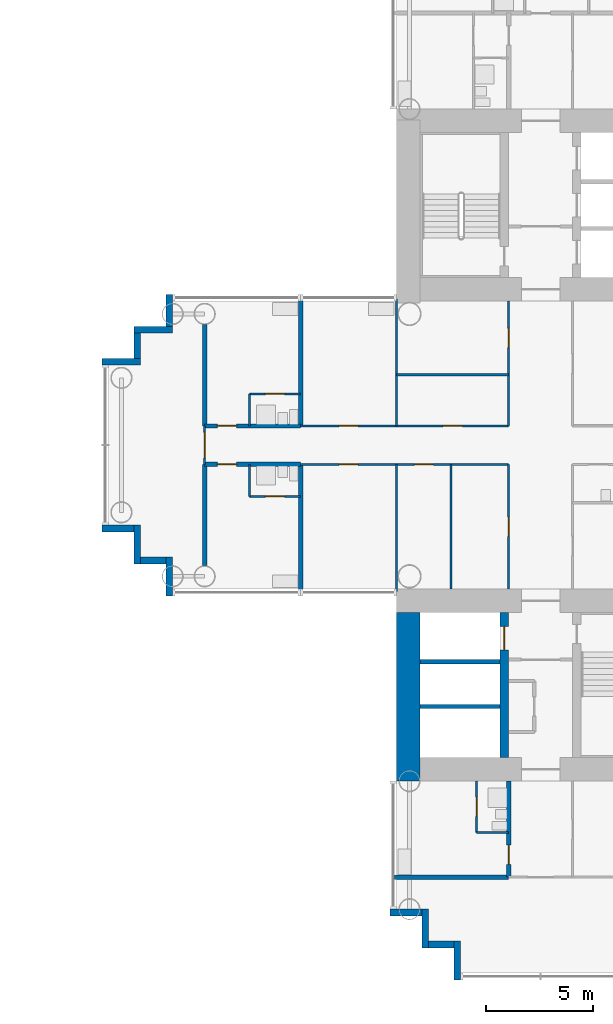
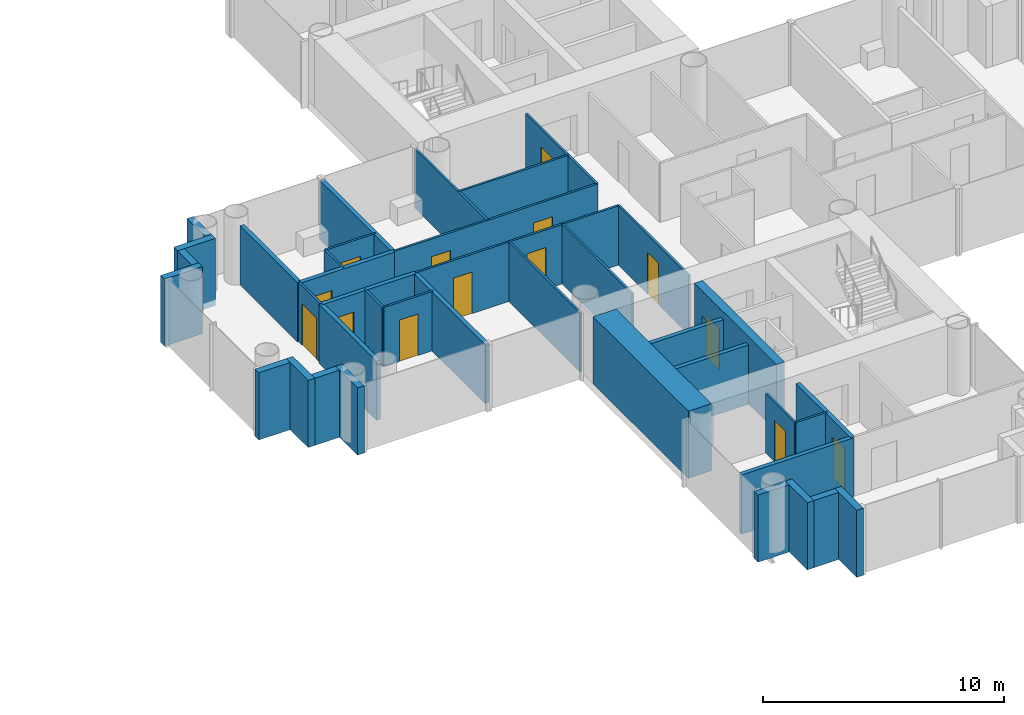
# One storey, part 12 of 21: 39 walls, 14 doors, 14 openings.
"""IFC4 building model written with IfcOpenShell, lengths in metres."""

from ifc_helpers import new_model, si_unit, direction, frame, frame_2d, origin, place, context, subcontext, project, spatial, rectangle, extrude, material, layer, layer_set, type_object, element, fill, save


model = new_model("IFC4")

# Units and contexts
model_context = context("Model", 3, precision=1e-05, world=origin(), true_north=direction((0.0, 1.0)))
body_context = subcontext(model_context, "Body", "Model", "MODEL_VIEW")
ifc_project = project(units=[si_unit("LENGTHUNIT", "METRE"), si_unit("AREAUNIT", "SQUARE_METRE"), si_unit("VOLUMEUNIT", "CUBIC_METRE"), si_unit("PLANEANGLEUNIT", "RADIAN"), si_unit("MASSUNIT", "GRAM", prefix="KILO")], contexts=[model_context])

# Site, building, storey
site_placement = place(None, origin())
site = spatial("IfcSite", under=ifc_project, at=site_placement, CompositionType="ELEMENT")
building_placement = place(site_placement, origin())
building = spatial("IfcBuilding", under=site, at=building_placement, Name="Ipe Terrace Towers", CompositionType="ELEMENT")
storey_placement = place(building_placement, frame((0.0, 0.0, 34.699951171875)))
storey = spatial("IfcBuildingStorey", under=building, at=storey_placement, Name="L08", CompositionType="ELEMENT", Elevation=34.699951171875)

# Walls
ifc_material_1 = material(Name="Concrete C40/50 with buff precast cladding", Category="concrete")
ifc_layer_1 = layer(ifc_material_1, 0.320068359375)
ifc_layer_set_1 = layer_set([ifc_layer_1], Name="BUFF CLADDING WALL 320")
wall_type_1 = type_object("IfcWallType", Name="BUFF CLADDING WALL 320", PredefinedType="STANDARD", material=ifc_layer_set_1)
wall_1_placement = place(storey_placement, frame((18.590087890625, 7.070068359375, -0.300048828125), z_axis=(0.0, 0.0, 1.0), x_axis=(0.0, -1.0, 0.0)))
element("IfcWall", 1, at=wall_1_placement, inside=storey, type_object=wall_type_1, Name="T2-W-L08-34a wall", PredefinedType="STANDARD", context=body_context, shape_type="SweptSolid", body=[
    extrude(rectangle(XDim=1.5, YDim=0.320068359375, at=frame_2d((0.75, 0.0))), origin(), (0.0, 0.0, 1.0), 3.400146484375),
])
wall_2_placement = place(storey_placement, frame((18.75, 5.409912109375, -0.300048828125), z_axis=(0.0, 0.0, 1.0), x_axis=(-1.0, 0.0, 0.0)))
element("IfcWall", 2, at=wall_2_placement, inside=storey, type_object=wall_type_1, Name="T2-W-L08-35a wall", PredefinedType="STANDARD", context=body_context, shape_type="SweptSolid", body=[
    extrude(rectangle(XDim=1.820068359375, YDim=0.320068359375, at=frame_2d((0.91015625, 0.0))), origin(), (0.0, 0.0, 1.0), 3.400146484375),
])
wall_3_placement = place(storey_placement, frame((17.090087890625, 5.25, -0.300048828125), z_axis=(0.0, 0.0, 1.0), x_axis=(0.0, -1.0, 0.0)))
element("IfcWall", 3, at=wall_3_placement, inside=storey, type_object=wall_type_1, Name="T2-W-L08-36a wall", PredefinedType="STANDARD", context=body_context, shape_type="SweptSolid", body=[
    extrude(rectangle(XDim=1.179931640625, YDim=0.320068359375, at=frame_2d((0.58984375, 0.0))), origin(), (0.0, 0.0, 1.0), 3.400146484375),
])
wall_4_placement = place(storey_placement, frame((17.25, 3.909912109375, -0.300048828125), z_axis=(0.0, 0.0, 1.0), x_axis=(-1.0, 0.0, 0.0)))
element("IfcWall", 4, at=wall_4_placement, inside=storey, type_object=wall_type_1, Name="T2-W-L08-37a wall", PredefinedType="STANDARD", context=body_context, shape_type="SweptSolid", body=[
    extrude(rectangle(XDim=1.820068359375, YDim=0.320068359375, at=frame_2d((0.91015625, 0.0))), origin(), (0.0, 0.0, 1.0), 3.400146484375),
])
wall_5_placement = place(storey_placement, frame((15.429931640625, -3.909912109375, -0.300048828125), z_axis=(0.0, 0.0, 1.0), x_axis=(1.0, 0.0, 0.0)))
element("IfcWall", 5, at=wall_5_placement, inside=storey, type_object=wall_type_1, Name="T2-W-L08-39a wall", PredefinedType="STANDARD", context=body_context, shape_type="SweptSolid", body=[
    extrude(rectangle(XDim=1.5, YDim=0.320068359375, at=frame_2d((0.75, 0.0))), origin(), (0.0, 0.0, 1.0), 3.400146484375),
])
wall_6_placement = place(storey_placement, frame((17.090087890625, -3.75, -0.300048828125), z_axis=(0.0, 0.0, 1.0), x_axis=(0.0, -1.0, 0.0)))
element("IfcWall", 6, at=wall_6_placement, inside=storey, type_object=wall_type_1, Name="T2-W-L08-40a wall", PredefinedType="STANDARD", context=body_context, shape_type="SweptSolid", body=[
    extrude(rectangle(XDim=1.820068359375, YDim=0.320068359375, at=frame_2d((0.91015625, 0.0))), origin(), (0.0, 0.0, 1.0), 3.400146484375),
])
wall_7_placement = place(storey_placement, frame((17.25, -5.409912109375, -0.300048828125), z_axis=(0.0, 0.0, 1.0), x_axis=(1.0, 0.0, 0.0)))
element("IfcWall", 7, at=wall_7_placement, inside=storey, type_object=wall_type_1, Name="T2-W-L08-41a wall", PredefinedType="STANDARD", context=body_context, shape_type="SweptSolid", body=[
    extrude(rectangle(XDim=1.179931640625, YDim=0.320068359375, at=frame_2d((0.58984375, 0.0))), origin(), (0.0, 0.0, 1.0), 3.400146484375),
])
wall_8_placement = place(storey_placement, frame((18.590087890625, -5.25, -0.300048828125), z_axis=(0.0, 0.0, 1.0), x_axis=(0.0, -1.0, 0.0)))
element("IfcWall", 8, at=wall_8_placement, inside=storey, type_object=wall_type_1, Name="T2-W-L08-42a wall", PredefinedType="STANDARD", context=body_context, shape_type="SweptSolid", body=[
    extrude(rectangle(XDim=1.820068359375, YDim=0.320068359375, at=frame_2d((0.91015625, 0.0))), origin(), (0.0, 0.0, 1.0), 3.400146484375),
])
wall_9_placement = place(storey_placement, frame((28.929931640625, -21.909912109375, -0.300048828125), z_axis=(0.0, 0.0, 1.0), x_axis=(1.0, 0.0, 0.0)))
element("IfcWall", 9, at=wall_9_placement, inside=storey, type_object=wall_type_1, Name="T2-W-L08-47a wall", PredefinedType="STANDARD", context=body_context, shape_type="SweptSolid", body=[
    extrude(rectangle(XDim=1.5, YDim=0.320068359375, at=frame_2d((0.75, 0.0))), origin(), (0.0, 0.0, 1.0), 3.400146484375),
])
wall_10_placement = place(storey_placement, frame((30.590087890625, -21.75, -0.300048828125), z_axis=(0.0, 0.0, 1.0), x_axis=(0.0, -1.0, 0.0)))
element("IfcWall", 10, at=wall_10_placement, inside=storey, type_object=wall_type_1, Name="T2-W-L08-48a wall", PredefinedType="STANDARD", context=body_context, shape_type="SweptSolid", body=[
    extrude(rectangle(XDim=1.820068359375, YDim=0.320068359375, at=frame_2d((0.91015625, 0.0))), origin(), (0.0, 0.0, 1.0), 3.400146484375),
])
wall_11_placement = place(storey_placement, frame((30.75, -23.409912109375, -0.300048828125), z_axis=(0.0, 0.0, 1.0), x_axis=(1.0, 0.0, 0.0)))
element("IfcWall", 11, at=wall_11_placement, inside=storey, type_object=wall_type_1, Name="T2-W-L08-49a wall", PredefinedType="STANDARD", context=body_context, shape_type="SweptSolid", body=[
    extrude(rectangle(XDim=1.179931640625, YDim=0.320068359375, at=frame_2d((0.58984375, 0.0))), origin(), (0.0, 0.0, 1.0), 3.400146484375),
])
wall_12_placement = place(storey_placement, frame((32.090087890625, -23.25, -0.300048828125), z_axis=(0.0, 0.0, 1.0), x_axis=(0.0, -1.0, 0.0)))
element("IfcWall", 12, at=wall_12_placement, inside=storey, type_object=wall_type_1, Name="T2-W-L08-50a wall", PredefinedType="STANDARD", context=body_context, shape_type="SweptSolid", body=[
    extrude(rectangle(XDim=1.820068359375, YDim=0.320068359375, at=frame_2d((0.91015625, 0.0))), origin(), (0.0, 0.0, 1.0), 3.400146484375),
])
ifc_material_2 = material(Name="Gypsum board partition", Category="plasterboard")
ifc_layer_2 = layer(ifc_material_2, 0.10009765625)
ifc_layer_set_2 = layer_set([ifc_layer_2], Name="Gypsum board partition 100 mm")
wall_type_2 = type_object("IfcWallType", Name="Gypsum board partition 100 mm", PredefinedType="PARTITIONING", material=ifc_layer_set_2)
wall_13_placement = place(storey_placement, frame((34.5, -18.14990234375, 0.0), z_axis=(0.0, 0.0, 1.0), x_axis=(-1.0, 0.0, 0.0)))
element("IfcWall", 13, at=wall_13_placement, inside=storey, type_object=wall_type_2, Name="Gypsum board partition T2 L08 W03", PredefinedType="PARTITIONING", context=body_context, shape_type="SweptSolid", body=[
    extrude(rectangle(XDim=1.5, YDim=0.10009765625, at=frame_2d((0.75, 0.0))), origin(), (0.0, 0.0, 1.0), 3.0),
])

# Wall, opening, door
wall_14_placement = place(storey_placement, frame((24.75, -2.39990234375, 0.0), z_axis=(0.0, 0.0, 1.0), x_axis=(-1.0, 0.0, 0.0)))
wall_14 = element("IfcWall", 14, at=wall_14_placement, inside=storey, type_object=wall_type_2, Name="Gypsum board partition T2 L08 W06", PredefinedType="PARTITIONING", context=body_context, shape_type="SweptSolid", body=[
    extrude(rectangle(XDim=2.39990234375, YDim=0.10009765625, at=frame_2d((1.199951171875, 0.0))), origin(), (0.0, 0.0, 1.0), 3.0),
])
opening_1_placement = place(wall_14_placement, frame((0.75, 0.0, 0.0)))
opening_1 = element("IfcOpeningElement", 15, at=opening_1_placement, cuts=wall_14, Name="Opening T2-Z1B-11", PredefinedType="OPENING", context=body_context, shape_type="SweptSolid", body=[
    extrude(rectangle(XDim=0.89990234375, YDim=2.10009765625, at=frame_2d((0.449951171875, 1.050048828125))), frame((0.0, 0.06005859375, 0.0), z_axis=(0.0, -1.0, 0.0), x_axis=(1.0, 0.0, 0.0)), (0.0, 0.0, 1.0), 0.1201171875),
])
ifc_material_3 = material(Name="Timber door leaf", Category="wood")
door_type_1 = type_object("IfcDoorType", Name="Bathroom door 900 x 2100", OperationType="NOTDEFINED", PredefinedType="DOOR", material=ifc_material_3)
door_1_placement = place(opening_1_placement, origin())
door_1 = element("IfcDoor", 16, at=door_1_placement, inside=storey, type_object=door_type_1, Name="Bathroom door T2-Z1B-11", OperationType="SINGLE_SWING_LEFT", OverallHeight=2.10009765625, OverallWidth=0.89990234375, PredefinedType="DOOR", context=body_context, shape_type="SweptSolid", body=[
    extrude(rectangle(XDim=0.89990234375, YDim=2.10009765625, at=frame_2d((0.449951171875, 1.050048828125))), frame((0.0, 0.02490234375, 0.0), z_axis=(0.0, -1.0, 0.0), x_axis=(1.0, 0.0, 0.0)), (0.0, 0.0, 1.0), 0.050048828125),
])
fill(opening_1, door_1)

# Wall, openings, doors
wall_15_placement = place(storey_placement, frame((34.5, -0.89990234375, 0.0), z_axis=(0.0, 0.0, 1.0), x_axis=(-1.0, 0.0, 0.0)))
wall_15 = element("IfcWall", 17, at=wall_15_placement, inside=storey, type_object=wall_type_2, Name="Gypsum board partition T2 L08 W10", PredefinedType="PARTITIONING", context=body_context, shape_type="SweptSolid", body=[
    extrude(rectangle(XDim=9.75, YDim=0.10009765625, at=frame_2d((4.875, 0.0))), origin(), (0.0, 0.0, 1.0), 3.0),
])
opening_2_placement = place(wall_15_placement, frame((3.52490234375, 0.0, 0.0)))
opening_2 = element("IfcOpeningElement", 18, at=opening_2_placement, cuts=wall_15, Name="Opening T2-Z1B-05", PredefinedType="OPENING", context=body_context, shape_type="SweptSolid", body=[
    extrude(rectangle(XDim=0.89990234375, YDim=2.10009765625, at=frame_2d((0.449951171875, 1.050048828125))), frame((0.0, 0.06005859375, 0.0), z_axis=(0.0, -1.0, 0.0), x_axis=(1.0, 0.0, 0.0)), (0.0, 0.0, 1.0), 0.1201171875),
])
opening_3_placement = place(wall_15_placement, frame((7.050048828125, 0.0, 0.0)))
opening_3 = element("IfcOpeningElement", 19, at=opening_3_placement, cuts=wall_15, Name="Opening T2-Z1B-09", PredefinedType="OPENING", context=body_context, shape_type="SweptSolid", body=[
    extrude(rectangle(XDim=0.89990234375, YDim=2.10009765625, at=frame_2d((0.449951171875, 1.050048828125))), frame((0.0, 0.06005859375, 0.0), z_axis=(0.0, -1.0, 0.0), x_axis=(1.0, 0.0, 0.0)), (0.0, 0.0, 1.0), 0.1201171875),
])
ifc_material_4 = material(Name="Timber door leaf", Category="wood")
door_type_2 = type_object("IfcDoorType", Name="Lounge door 900 x 2100", OperationType="NOTDEFINED", PredefinedType="DOOR", material=ifc_material_4)
door_2_placement = place(opening_2_placement, origin())
door_2 = element("IfcDoor", 20, at=door_2_placement, inside=storey, type_object=door_type_2, Name="Lounge door T2-Z1B-05", OperationType="SINGLE_SWING_RIGHT", OverallHeight=2.10009765625, OverallWidth=0.89990234375, PredefinedType="DOOR", context=body_context, shape_type="SweptSolid", body=[
    extrude(rectangle(XDim=0.89990234375, YDim=2.10009765625, at=frame_2d((0.449951171875, 1.050048828125))), frame((0.0, 0.02490234375, 0.0), z_axis=(0.0, -1.0, 0.0), x_axis=(1.0, 0.0, 0.0)), (0.0, 0.0, 1.0), 0.050048828125),
])
fill(opening_2, door_2)
door_3_placement = place(opening_3_placement, origin())
door_3 = element("IfcDoor", 21, at=door_3_placement, inside=storey, type_object=door_type_2, Name="Lounge door T2-Z1B-09", OperationType="SINGLE_SWING_LEFT", OverallHeight=2.10009765625, OverallWidth=0.89990234375, PredefinedType="DOOR", context=body_context, shape_type="SweptSolid", body=[
    extrude(rectangle(XDim=0.89990234375, YDim=2.10009765625, at=frame_2d((0.449951171875, 1.050048828125))), frame((0.0, 0.02490234375, 0.0), z_axis=(0.0, -1.0, 0.0), x_axis=(1.0, 0.0, 0.0)), (0.0, 0.0, 1.0), 0.050048828125),
])
fill(opening_3, door_3)

wall_16_placement = place(storey_placement, frame((34.5, 0.89990234375, 0.0), z_axis=(0.0, 0.0, 1.0), x_axis=(-1.0, 0.0, 0.0)))
wall_16 = element("IfcWall", 22, at=wall_16_placement, inside=storey, type_object=wall_type_2, Name="Gypsum board partition T2 L08 W14", PredefinedType="PARTITIONING", context=body_context, shape_type="SweptSolid", body=[
    extrude(rectangle(XDim=9.75, YDim=0.10009765625, at=frame_2d((4.875, 0.0))), origin(), (0.0, 0.0, 1.0), 3.0),
])
opening_4_placement = place(wall_16_placement, frame((2.175048828125, 0.0, 0.0)))
opening_4 = element("IfcOpeningElement", 23, at=opening_4_placement, cuts=wall_16, Name="Opening T2-Z1B-02", PredefinedType="OPENING", context=body_context, shape_type="SweptSolid", body=[
    extrude(rectangle(XDim=0.89990234375, YDim=2.10009765625, at=frame_2d((0.449951171875, 1.050048828125))), frame((0.0, 0.06005859375, 0.0), z_axis=(0.0, -1.0, 0.0), x_axis=(1.0, 0.0, 0.0)), (0.0, 0.0, 1.0), 0.1201171875),
])
opening_5_placement = place(wall_16_placement, frame((7.050048828125, 0.0, 0.0)))
opening_5 = element("IfcOpeningElement", 24, at=opening_5_placement, cuts=wall_16, Name="Opening T2-Z1B-12", PredefinedType="OPENING", context=body_context, shape_type="SweptSolid", body=[
    extrude(rectangle(XDim=0.89990234375, YDim=2.10009765625, at=frame_2d((0.449951171875, 1.050048828125))), frame((0.0, 0.06005859375, 0.0), z_axis=(0.0, -1.0, 0.0), x_axis=(1.0, 0.0, 0.0)), (0.0, 0.0, 1.0), 0.1201171875),
])
door_4_placement = place(opening_4_placement, origin())
door_4 = element("IfcDoor", 25, at=door_4_placement, inside=storey, type_object=door_type_2, Name="Lounge door T2-Z1B-02", OperationType="SINGLE_SWING_LEFT", OverallHeight=2.10009765625, OverallWidth=0.89990234375, PredefinedType="DOOR", context=body_context, shape_type="SweptSolid", body=[
    extrude(rectangle(XDim=0.89990234375, YDim=2.10009765625, at=frame_2d((0.449951171875, 1.050048828125))), frame((0.0, 0.02490234375, 0.0), z_axis=(0.0, -1.0, 0.0), x_axis=(1.0, 0.0, 0.0)), (0.0, 0.0, 1.0), 0.050048828125),
])
fill(opening_4, door_4)
door_5_placement = place(opening_5_placement, origin())
door_5 = element("IfcDoor", 26, at=door_5_placement, inside=storey, type_object=door_type_2, Name="Lounge door T2-Z1B-12", OperationType="SINGLE_SWING_RIGHT", OverallHeight=2.10009765625, OverallWidth=0.89990234375, PredefinedType="DOOR", context=body_context, shape_type="SweptSolid", body=[
    extrude(rectangle(XDim=0.89990234375, YDim=2.10009765625, at=frame_2d((0.449951171875, 1.050048828125))), frame((0.0, 0.02490234375, 0.0), z_axis=(0.0, -1.0, 0.0), x_axis=(1.0, 0.0, 0.0)), (0.0, 0.0, 1.0), 0.050048828125),
])
fill(opening_5, door_5)

# Wall, opening, door
wall_17_placement = place(storey_placement, frame((24.75, 2.39990234375, 0.0), z_axis=(0.0, 0.0, 1.0), x_axis=(-1.0, 0.0, 0.0)))
wall_17 = element("IfcWall", 27, at=wall_17_placement, inside=storey, type_object=wall_type_2, Name="Gypsum board partition T2 L08 W16", PredefinedType="PARTITIONING", context=body_context, shape_type="SweptSolid", body=[
    extrude(rectangle(XDim=2.39990234375, YDim=0.10009765625, at=frame_2d((1.199951171875, 0.0))), origin(), (0.0, 0.0, 1.0), 3.0),
])
opening_6_placement = place(wall_17_placement, frame((0.75, 0.0, 0.0)))
opening_6 = element("IfcOpeningElement", 28, at=opening_6_placement, cuts=wall_17, Name="Opening T2-Z1B-14", PredefinedType="OPENING", context=body_context, shape_type="SweptSolid", body=[
    extrude(rectangle(XDim=0.89990234375, YDim=2.10009765625, at=frame_2d((0.449951171875, 1.050048828125))), frame((0.0, 0.06005859375, 0.0), z_axis=(0.0, -1.0, 0.0), x_axis=(1.0, 0.0, 0.0)), (0.0, 0.0, 1.0), 0.1201171875),
])
door_6_placement = place(opening_6_placement, origin())
door_6 = element("IfcDoor", 29, at=door_6_placement, inside=storey, type_object=door_type_1, Name="Bathroom door T2-Z1B-14", OperationType="SINGLE_SWING_RIGHT", OverallHeight=2.10009765625, OverallWidth=0.89990234375, PredefinedType="DOOR", context=body_context, shape_type="SweptSolid", body=[
    extrude(rectangle(XDim=0.89990234375, YDim=2.10009765625, at=frame_2d((0.449951171875, 1.050048828125))), frame((0.0, 0.02490234375, 0.0), z_axis=(0.0, -1.0, 0.0), x_axis=(1.0, 0.0, 0.0)), (0.0, 0.0, 1.0), 0.050048828125),
])
fill(opening_6, door_6)

# Wall
wall_18_placement = place(storey_placement, frame((34.5, 3.300048828125, 0.0), z_axis=(0.0, 0.0, 1.0), x_axis=(-1.0, 0.0, 0.0)))
element("IfcWall", 30, at=wall_18_placement, inside=storey, type_object=wall_type_2, Name="Gypsum board partition T2 L08 W17", PredefinedType="PARTITIONING", context=body_context, shape_type="SweptSolid", body=[
    extrude(rectangle(XDim=5.25, YDim=0.10009765625, at=frame_2d((2.625, 0.0))), origin(), (0.0, 0.0, 1.0), 3.0),
])

# Wall, opening, door
wall_19_placement = place(storey_placement, frame((34.5, -6.75, 0.0), z_axis=(0.0, 0.0, 1.0), x_axis=(0.0, 1.0, 0.0)))
wall_19 = element("IfcWall", 31, at=wall_19_placement, inside=storey, type_object=wall_type_2, Name="Gypsum board partition T2 L08 W37", PredefinedType="PARTITIONING", context=body_context, shape_type="SweptSolid", body=[
    extrude(rectangle(XDim=5.85009765625, YDim=0.10009765625, at=frame_2d((2.925048828125, 0.0))), origin(), (0.0, 0.0, 1.0), 3.0),
])
opening_7_placement = place(wall_19_placement, frame((2.47509765625, 0.0, 0.0)))
opening_7 = element("IfcOpeningElement", 32, at=opening_7_placement, cuts=wall_19, Name="Opening T2-Z1B-04", PredefinedType="OPENING", context=body_context, shape_type="SweptSolid", body=[
    extrude(rectangle(XDim=0.89990234375, YDim=2.10009765625, at=frame_2d((0.449951171875, 1.050048828125))), frame((0.0, 0.06005859375, 0.0), z_axis=(0.0, -1.0, 0.0), x_axis=(1.0, 0.0, 0.0)), (0.0, 0.0, 1.0), 0.1201171875),
])
door_7_placement = place(opening_7_placement, origin())
door_7 = element("IfcDoor", 33, at=door_7_placement, inside=storey, type_object=door_type_2, Name="Lounge door T2-Z1B-04", OperationType="SINGLE_SWING_RIGHT", OverallHeight=2.10009765625, OverallWidth=0.89990234375, PredefinedType="DOOR", context=body_context, shape_type="SweptSolid", body=[
    extrude(rectangle(XDim=0.89990234375, YDim=2.10009765625, at=frame_2d((0.449951171875, 1.050048828125))), frame((0.0, 0.02490234375, 0.0), z_axis=(0.0, -1.0, 0.0), x_axis=(1.0, 0.0, 0.0)), (0.0, 0.0, 1.0), 0.050048828125),
])
fill(opening_7, door_7)

wall_20_placement = place(storey_placement, frame((34.5, 0.89990234375, 0.0), z_axis=(0.0, 0.0, 1.0), x_axis=(0.0, 1.0, 0.0)))
wall_20 = element("IfcWall", 34, at=wall_20_placement, inside=storey, type_object=wall_type_2, Name="Gypsum board partition T2 L08 W38", PredefinedType="PARTITIONING", context=body_context, shape_type="SweptSolid", body=[
    extrude(rectangle(XDim=5.85009765625, YDim=0.10009765625, at=frame_2d((2.925048828125, 0.0))), origin(), (0.0, 0.0, 1.0), 3.0),
])
opening_8_placement = place(wall_20_placement, frame((3.675048828125, 0.0, 0.0)))
opening_8 = element("IfcOpeningElement", 35, at=opening_8_placement, cuts=wall_20, Name="Opening T2-Z1B-03", PredefinedType="OPENING", context=body_context, shape_type="SweptSolid", body=[
    extrude(rectangle(XDim=0.89990234375, YDim=2.10009765625, at=frame_2d((0.449951171875, 1.050048828125))), frame((0.0, 0.06005859375, 0.0), z_axis=(0.0, -1.0, 0.0), x_axis=(1.0, 0.0, 0.0)), (0.0, 0.0, 1.0), 0.1201171875),
])
door_8_placement = place(opening_8_placement, origin())
door_8 = element("IfcDoor", 36, at=door_8_placement, inside=storey, type_object=door_type_2, Name="Lounge door T2-Z1B-03", OperationType="SINGLE_SWING_LEFT", OverallHeight=2.10009765625, OverallWidth=0.89990234375, PredefinedType="DOOR", context=body_context, shape_type="SweptSolid", body=[
    extrude(rectangle(XDim=0.89990234375, YDim=2.10009765625, at=frame_2d((0.449951171875, 1.050048828125))), frame((0.0, 0.02490234375, 0.0), z_axis=(0.0, -1.0, 0.0), x_axis=(1.0, 0.0, 0.0)), (0.0, 0.0, 1.0), 0.050048828125),
])
fill(opening_8, door_8)

wall_21_placement = place(storey_placement, frame((33.0, -18.14990234375, 0.0), z_axis=(0.0, 0.0, 1.0), x_axis=(0.0, 1.0, 0.0)))
wall_21 = element("IfcWall", 37, at=wall_21_placement, inside=storey, type_object=wall_type_2, Name="Gypsum board partition T2 L08 W42", PredefinedType="PARTITIONING", context=body_context, shape_type="SweptSolid", body=[
    extrude(rectangle(XDim=2.39990234375, YDim=0.10009765625, at=frame_2d((1.199951171875, 0.0))), origin(), (0.0, 0.0, 1.0), 3.0),
])
opening_9_placement = place(wall_21_placement, frame((0.75, 0.0, 0.0)))
opening_9 = element("IfcOpeningElement", 38, at=opening_9_placement, cuts=wall_21, Name="Opening T2-Z1B-32", PredefinedType="OPENING", context=body_context, shape_type="SweptSolid", body=[
    extrude(rectangle(XDim=0.89990234375, YDim=2.10009765625, at=frame_2d((0.449951171875, 1.050048828125))), frame((0.0, 0.06005859375, 0.0), z_axis=(0.0, -1.0, 0.0), x_axis=(1.0, 0.0, 0.0)), (0.0, 0.0, 1.0), 0.1201171875),
])
door_9_placement = place(opening_9_placement, origin())
door_9 = element("IfcDoor", 39, at=door_9_placement, inside=storey, type_object=door_type_1, Name="Bathroom door T2-Z1B-32", OperationType="SINGLE_SWING_RIGHT", OverallHeight=2.10009765625, OverallWidth=0.89990234375, PredefinedType="DOOR", context=body_context, shape_type="SweptSolid", body=[
    extrude(rectangle(XDim=0.89990234375, YDim=2.10009765625, at=frame_2d((0.449951171875, 1.050048828125))), frame((0.0, 0.02490234375, 0.0), z_axis=(0.0, -1.0, 0.0), x_axis=(1.0, 0.0, 0.0)), (0.0, 0.0, 1.0), 0.050048828125),
])
fill(opening_9, door_9)

# Walls
wall_22_placement = place(storey_placement, frame((31.800048828125, -6.75, 0.0), z_axis=(0.0, 0.0, 1.0), x_axis=(0.0, 1.0, 0.0)))
element("IfcWall", 40, at=wall_22_placement, inside=storey, type_object=wall_type_2, Name="Gypsum board partition T2 L08 W44", PredefinedType="PARTITIONING", context=body_context, shape_type="SweptSolid", body=[
    extrude(rectangle(XDim=5.85009765625, YDim=0.10009765625, at=frame_2d((2.925048828125, 0.0))), origin(), (0.0, 0.0, 1.0), 3.0),
])
for number, where, z_axis, x_axis, name in (
    (41, (29.25, -6.85009765625, 0.0), (0.0, 0.0, 1.0), (0.0, 1.0, 0.0), "Gypsum board partition T2 L08 W45"),
    (42, (29.25, 0.89990234375, 0.0), (0.0, 0.0, 1.0), (0.0, 1.0, 0.0), "Gypsum board partition T2 L08 W46"),
):
    element("IfcWall", number, at=place(storey_placement, frame(where, z_axis=z_axis, x_axis=x_axis)), inside=storey, type_object=wall_type_2, Name=name, PredefinedType="PARTITIONING", context=body_context, shape_type="SweptSolid", body=[
        extrude(rectangle(XDim=5.9501953125, YDim=0.10009765625, at=frame_2d((2.97509765625, 0.0))), origin(), (0.0, 0.0, 1.0), 3.0),
    ])
for number, where, z_axis, x_axis, name in (
    (43, (22.35009765625, -2.39990234375, 0.0), (0.0, 0.0, 1.0), (0.0, 1.0, 0.0), "Gypsum board partition T2 L08 W49"),
    (44, (22.35009765625, 0.89990234375, 0.0), (0.0, 0.0, 1.0), (0.0, 1.0, 0.0), "Gypsum board partition T2 L08 W50"),
):
    element("IfcWall", number, at=place(storey_placement, frame(where, z_axis=z_axis, x_axis=x_axis)), inside=storey, type_object=wall_type_2, Name=name, PredefinedType="PARTITIONING", context=body_context, shape_type="SweptSolid", body=[
        extrude(rectangle(XDim=1.5, YDim=0.10009765625, at=frame_2d((0.75, 0.0))), origin(), (0.0, 0.0, 1.0), 3.0),
    ])

# Wall, opening, door
wall_23_placement = place(storey_placement, frame((20.25, -0.89990234375, 0.0), z_axis=(0.0, 0.0, 1.0), x_axis=(0.0, 1.0, 0.0)))
wall_23 = element("IfcWall", 45, at=wall_23_placement, inside=storey, type_object=wall_type_2, Name="Gypsum board partition T2 L08 W51", PredefinedType="PARTITIONING", context=body_context, shape_type="SweptSolid", body=[
    extrude(rectangle(XDim=1.7998046875, YDim=0.10009765625, at=frame_2d((0.89990234375, 0.0))), origin(), (0.0, 0.0, 1.0), 3.0),
])
opening_10_placement = place(wall_23_placement, frame((0.300048828125, 0.0, 0.0)))
opening_10 = element("IfcOpeningElement", 46, at=opening_10_placement, cuts=wall_23, Name="Opening T2-Z1B-15", PredefinedType="OPENING", context=body_context, shape_type="SweptSolid", body=[
    extrude(rectangle(XDim=1.199951171875, YDim=2.10009765625, at=frame_2d((0.60009765625, 1.050048828125))), frame((0.0, 0.06005859375, 0.0), z_axis=(0.0, -1.0, 0.0), x_axis=(1.0, 0.0, 0.0)), (0.0, 0.0, 1.0), 0.1201171875),
])
ifc_material_5 = material(Name="Timber door leaf", Category="wood")
door_type_3 = type_object("IfcDoorType", Name="Lounge door 1200 x 2100", OperationType="NOTDEFINED", PredefinedType="DOOR", material=ifc_material_5)
door_10_placement = place(opening_10_placement, origin())
door_10 = element("IfcDoor", 47, at=door_10_placement, inside=storey, type_object=door_type_3, Name="Lounge door T2-Z1B-15", OperationType="SINGLE_SWING_LEFT", OverallHeight=2.10009765625, OverallWidth=1.199951171875, PredefinedType="DOOR", context=body_context, shape_type="SweptSolid", body=[
    extrude(rectangle(XDim=1.199951171875, YDim=2.10009765625, at=frame_2d((0.60009765625, 1.050048828125))), frame((0.0, 0.02490234375, 0.0), z_axis=(0.0, -1.0, 0.0), x_axis=(1.0, 0.0, 0.0)), (0.0, 0.0, 1.0), 0.050048828125),
])
fill(opening_10, door_10)

# Walls
ifc_material_6 = material(Name="Gypsum board party wall", Category="plasterboard")
ifc_layer_3 = layer(ifc_material_6, 0.199951171875)
ifc_layer_set_3 = layer_set([ifc_layer_3], Name="Gypsum board party wall 200 mm")
wall_type_3 = type_object("IfcWallType", Name="Gypsum board party wall 200 mm", PredefinedType="SOLIDWALL", material=ifc_layer_set_3)
for number, where, z_axis, x_axis, name in (
    (48, (30.35009765625, -10.14990234375, 0.0), (0.0, 0.0, 1.0), (1.0, 0.0, 0.0), "Gypsum board party wall T2 L08 t2c2-shaft-div1"),
    (49, (30.35009765625, -12.25, 0.0), (0.0, 0.0, 1.0), (1.0, 0.0, 0.0), "Gypsum board party wall T2 L08 t2c2-shaft-div2"),
):
    element("IfcWall", number, at=place(storey_placement, frame(where, z_axis=z_axis, x_axis=x_axis)), inside=storey, type_object=wall_type_3, Name=name, PredefinedType="SOLIDWALL", context=body_context, shape_type="SweptSolid", body=[
        extrude(rectangle(XDim=3.75, YDim=0.199951171875, at=frame_2d((1.875, 0.0))), origin(), (0.0, 0.0, 1.0), 3.0),
    ])
wall_24_placement = place(storey_placement, frame((34.5, -20.25, 0.0), z_axis=(0.0, 0.0, 1.0), x_axis=(-1.0, 0.0, 0.0)))
element("IfcWall", 50, at=wall_24_placement, inside=storey, type_object=wall_type_3, Name="Gypsum board party wall T2 L08 W02", PredefinedType="SOLIDWALL", context=body_context, shape_type="SweptSolid", body=[
    extrude(rectangle(XDim=5.35009765625, YDim=0.199951171875, at=frame_2d((2.675048828125, 0.0))), origin(), (0.0, 0.0, 1.0), 3.0),
])

# Wall, opening, door
wall_25_placement = place(storey_placement, frame((24.75, -0.89990234375, 0.0), z_axis=(0.0, 0.0, 1.0), x_axis=(-1.0, 0.0, 0.0)))
wall_25 = element("IfcWall", 51, at=wall_25_placement, inside=storey, type_object=wall_type_3, Name="Gypsum board party wall T2 L08 W11", PredefinedType="SOLIDWALL", context=body_context, shape_type="SweptSolid", body=[
    extrude(rectangle(XDim=4.5, YDim=0.199951171875, at=frame_2d((2.25, 0.0))), origin(), (0.0, 0.0, 1.0), 3.0),
])
opening_11_placement = place(wall_25_placement, frame((3.0, 0.0, 0.0)))
opening_11 = element("IfcOpeningElement", 52, at=opening_11_placement, cuts=wall_25, Name="Opening T2-Z1B-10", PredefinedType="OPENING", context=body_context, shape_type="SweptSolid", body=[
    extrude(rectangle(XDim=0.89990234375, YDim=2.10009765625, at=frame_2d((0.449951171875, 1.050048828125))), frame((0.0, 0.10986328125, 0.0), z_axis=(0.0, -1.0, 0.0), x_axis=(1.0, 0.0, 0.0)), (0.0, 0.0, 1.0), 0.219970703125),
])
ifc_material_7 = material(Name="Fire-rated timber door leaf", Category="wood")
door_type_4 = type_object("IfcDoorType", Name="Flat entrance door 900 x 2100 FD30S", OperationType="NOTDEFINED", PredefinedType="DOOR", material=ifc_material_7)
door_11_placement = place(opening_11_placement, origin())
door_11 = element("IfcDoor", 53, at=door_11_placement, inside=storey, type_object=door_type_4, Name="Flat entrance door T2-Z1B-10", OperationType="SINGLE_SWING_LEFT", OverallHeight=2.10009765625, OverallWidth=0.89990234375, PredefinedType="DOOR", context=body_context, shape_type="SweptSolid", body=[
    extrude(rectangle(XDim=0.89990234375, YDim=2.10009765625, at=frame_2d((0.449951171875, 1.050048828125))), frame((0.0, 0.02490234375, 0.0), z_axis=(0.0, -1.0, 0.0), x_axis=(1.0, 0.0, 0.0)), (0.0, 0.0, 1.0), 0.050048828125),
])
fill(opening_11, door_11)

wall_26_placement = place(storey_placement, frame((24.75, 0.89990234375, 0.0), z_axis=(0.0, 0.0, 1.0), x_axis=(-1.0, 0.0, 0.0)))
wall_26 = element("IfcWall", 54, at=wall_26_placement, inside=storey, type_object=wall_type_3, Name="Gypsum board party wall T2 L08 W15", PredefinedType="SOLIDWALL", context=body_context, shape_type="SweptSolid", body=[
    extrude(rectangle(XDim=4.5, YDim=0.199951171875, at=frame_2d((2.25, 0.0))), origin(), (0.0, 0.0, 1.0), 3.0),
])
opening_12_placement = place(wall_26_placement, frame((3.0, 0.0, 0.0)))
opening_12 = element("IfcOpeningElement", 55, at=opening_12_placement, cuts=wall_26, Name="Opening T2-Z1B-13", PredefinedType="OPENING", context=body_context, shape_type="SweptSolid", body=[
    extrude(rectangle(XDim=0.89990234375, YDim=2.10009765625, at=frame_2d((0.449951171875, 1.050048828125))), frame((0.0, 0.10986328125, 0.0), z_axis=(0.0, -1.0, 0.0), x_axis=(1.0, 0.0, 0.0)), (0.0, 0.0, 1.0), 0.219970703125),
])
door_12_placement = place(opening_12_placement, origin())
door_12 = element("IfcDoor", 56, at=door_12_placement, inside=storey, type_object=door_type_4, Name="Flat entrance door T2-Z1B-13", OperationType="SINGLE_SWING_RIGHT", OverallHeight=2.10009765625, OverallWidth=0.89990234375, PredefinedType="DOOR", context=body_context, shape_type="SweptSolid", body=[
    extrude(rectangle(XDim=0.89990234375, YDim=2.10009765625, at=frame_2d((0.449951171875, 1.050048828125))), frame((0.0, 0.02490234375, 0.0), z_axis=(0.0, -1.0, 0.0), x_axis=(1.0, 0.0, 0.0)), (0.0, 0.0, 1.0), 0.050048828125),
])
fill(opening_12, door_12)

wall_27_placement = place(storey_placement, frame((34.5, -20.25, 0.0), z_axis=(0.0, 0.0, 1.0), x_axis=(0.0, 1.0, 0.0)))
wall_27 = element("IfcWall", 57, at=wall_27_placement, inside=storey, type_object=wall_type_3, Name="Gypsum board party wall T2 L08 W39", PredefinedType="SOLIDWALL", context=body_context, shape_type="SweptSolid", body=[
    extrude(rectangle(XDim=4.5, YDim=0.199951171875, at=frame_2d((2.25, 0.0))), origin(), (0.0, 0.0, 1.0), 3.0),
])
opening_13_placement = place(wall_27_placement, frame((0.60009765625, 0.0, 0.0)))
opening_13 = element("IfcOpeningElement", 58, at=opening_13_placement, cuts=wall_27, Name="Opening T2-Z1B-31", PredefinedType="OPENING", context=body_context, shape_type="SweptSolid", body=[
    extrude(rectangle(XDim=0.89990234375, YDim=2.10009765625, at=frame_2d((0.449951171875, 1.050048828125))), frame((0.0, 0.10986328125, 0.0), z_axis=(0.0, -1.0, 0.0), x_axis=(1.0, 0.0, 0.0)), (0.0, 0.0, 1.0), 0.219970703125),
])
door_13_placement = place(opening_13_placement, origin())
door_13 = element("IfcDoor", 59, at=door_13_placement, inside=storey, type_object=door_type_4, Name="Flat entrance door T2-Z1B-31", OperationType="SINGLE_SWING_RIGHT", OverallHeight=2.10009765625, OverallWidth=0.89990234375, PredefinedType="DOOR", context=body_context, shape_type="SweptSolid", body=[
    extrude(rectangle(XDim=0.89990234375, YDim=2.10009765625, at=frame_2d((0.449951171875, 1.050048828125))), frame((0.0, 0.02490234375, 0.0), z_axis=(0.0, -1.0, 0.0), x_axis=(1.0, 0.0, 0.0)), (0.0, 0.0, 1.0), 0.050048828125),
])
fill(opening_13, door_13)

# Walls
for number, where, z_axis, x_axis, name in (
    (60, (24.75, -6.85009765625, 0.0), (0.0, 0.0, 1.0), (0.0, 1.0, 0.0), "Gypsum board party wall T2 L08 W47"),
    (61, (24.75, 0.89990234375, 0.0), (0.0, 0.0, 1.0), (0.0, 1.0, 0.0), "Gypsum board party wall T2 L08 W48"),
):
    element("IfcWall", number, at=place(storey_placement, frame(where, z_axis=z_axis, x_axis=x_axis)), inside=storey, type_object=wall_type_3, Name=name, PredefinedType="SOLIDWALL", context=body_context, shape_type="SweptSolid", body=[
        extrude(rectangle(XDim=5.9501953125, YDim=0.199951171875, at=frame_2d((2.97509765625, 0.0))), origin(), (0.0, 0.0, 1.0), 3.0),
    ])
for number, where, z_axis, x_axis, name in (
    (62, (20.25, -5.64990234375, 0.0), (0.0, 0.0, 1.0), (0.0, 1.0, 0.0), "Gypsum board party wall T2 L08 W52"),
    (63, (20.25, 0.89990234375, 0.0), (0.0, 0.0, 1.0), (0.0, 1.0, 0.0), "Gypsum board party wall T2 L08 W53"),
):
    element("IfcWall", number, at=place(storey_placement, frame(where, z_axis=z_axis, x_axis=x_axis)), inside=storey, type_object=wall_type_3, Name=name, PredefinedType="SOLIDWALL", context=body_context, shape_type="SweptSolid", body=[
        extrude(rectangle(XDim=4.75, YDim=0.199951171875, at=frame_2d((2.375, 0.0))), origin(), (0.0, 0.0, 1.0), 3.0),
    ])
ifc_material_8 = material(Name="Concrete C60/75", Category="concrete")
ifc_layer_4 = layer(ifc_material_8, 1.10009765625)
ifc_layer_set_4 = layer_set([ifc_layer_4], Name="RW1100 CORE WALL 1100 C60-75")
wall_type_4 = type_object("IfcWallType", Name="RW1100 CORE WALL 1100 C60-75", PredefinedType="SHEAR", material=ifc_layer_set_4)
wall_28_placement = place(storey_placement, frame((29.800048828125, -7.85009765625, 0.0), z_axis=(0.0, 0.0, 1.0), x_axis=(0.0, -1.0, 0.0)))
element("IfcWall", 64, at=wall_28_placement, inside=storey, type_object=wall_type_4, Name="Core wall T2-C2-Z1-W04", PredefinedType="SHEAR", context=body_context, shape_type="SweptSolid", body=[
    extrude(rectangle(XDim=7.89990234375, YDim=1.10009765625, at=frame_2d((3.949951171875, 0.0))), origin(), (0.0, 0.0, 1.0), 3.400146484375),
])

# Wall, opening, door
ifc_material_9 = material(Name="Concrete C60/75", Category="concrete")
ifc_layer_5 = layer(ifc_material_9, 0.39990234375)
ifc_layer_set_5 = layer_set([ifc_layer_5], Name="RW400 CORE SPINE WALL 400 C60-75")
wall_type_5 = type_object("IfcWallType", Name="RW400 CORE SPINE WALL 400 C60-75", PredefinedType="SHEAR", material=ifc_layer_set_5)
wall_29_placement = place(storey_placement, frame((34.300048828125, -14.64990234375, 0.0), z_axis=(0.0, 0.0, 1.0), x_axis=(0.0, 1.0, 0.0)))
wall_29 = element("IfcWall", 65, at=wall_29_placement, inside=storey, type_object=wall_type_5, Name="Core spine wall T2-C2-Z1-SW1", PredefinedType="SHEAR", context=body_context, shape_type="SweptSolid", body=[
    extrude(rectangle(XDim=6.7998046875, YDim=0.39990234375, at=frame_2d((3.39990234375, 0.0))), origin(), (0.0, 0.0, 1.0), 3.400146484375),
])
opening_14_placement = place(wall_29_placement, frame((5.050048828125, 0.0, 0.0)))
opening_14 = element("IfcOpeningElement", 66, at=opening_14_placement, cuts=wall_29, Name="Opening T2C2-LD1", PredefinedType="OPENING", context=body_context, shape_type="SweptSolid", body=[
    extrude(rectangle(XDim=1.10009765625, YDim=2.10009765625, at=frame_2d((0.550048828125, 1.050048828125))), frame((0.0, 0.2099609375, 0.0), z_axis=(0.0, -1.0, 0.0), x_axis=(1.0, 0.0, 0.0)), (0.0, 0.0, 1.0), 0.419921875),
])
ifc_material_10 = material(Name="Fire-rated timber door leaf", Category="wood")
door_type_5 = type_object("IfcDoorType", Name="Sliding door 1100 x 2100 FD60", OperationType="SLIDING_TO_LEFT", PredefinedType="DOOR", material=ifc_material_10)
door_14_placement = place(opening_14_placement, origin())
door_14 = element("IfcDoor", 67, at=door_14_placement, inside=storey, type_object=door_type_5, Name="Sliding door T2C2-LD1", OperationType="SLIDING_TO_LEFT", OverallHeight=2.10009765625, OverallWidth=1.10009765625, PredefinedType="DOOR", context=body_context, shape_type="SweptSolid", body=[
    extrude(rectangle(XDim=1.10009765625, YDim=2.10009765625, at=frame_2d((0.550048828125, 1.050048828125))), frame((0.0, 0.02490234375, 0.0), z_axis=(0.0, -1.0, 0.0), x_axis=(1.0, 0.0, 0.0)), (0.0, 0.0, 1.0), 0.050048828125),
])
fill(opening_14, door_14)

save(model, "model.ifc")
